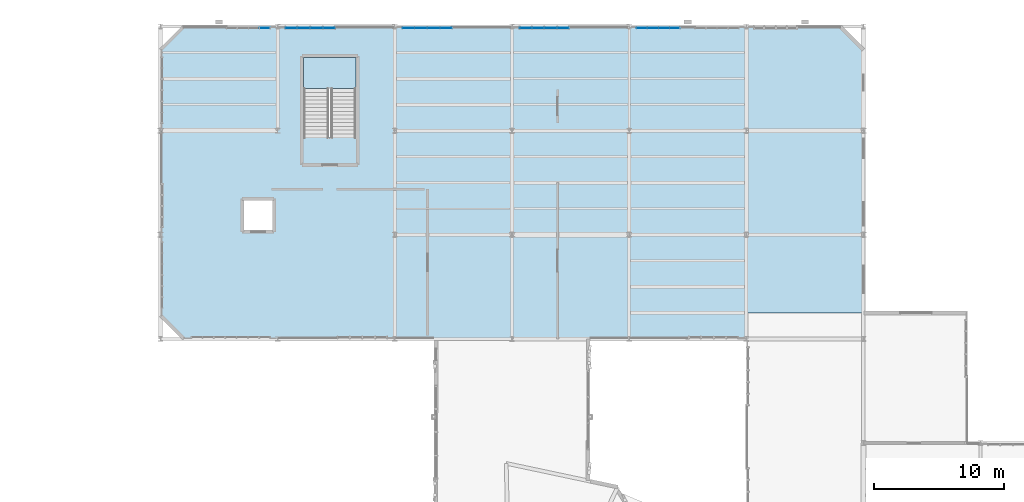
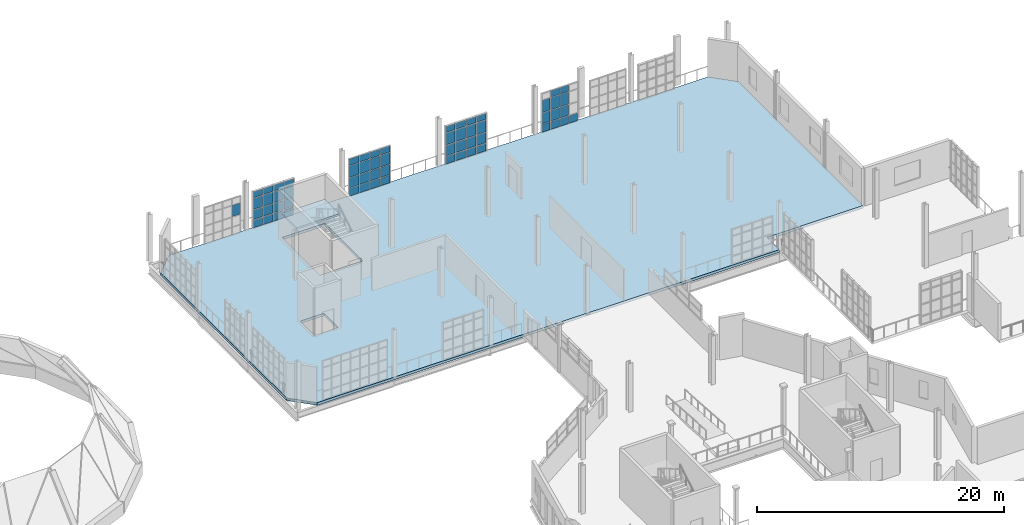
# One storey, part 97 of 118: 61 plates, 2 slabs, 6 elements without a shape of their own.
"""IFC4 building model written with IfcOpenShell, lengths in metres."""

from ifc_helpers import new_model, si_unit, direction, frame, origin, origin_2d, place, context, subcontext, project, spatial, polyline, rectangle, outline, extrude, material, layer, layer_set, type_object, element, aggregate, save


model = new_model("IFC4")

# Units and contexts
model_context = context("Model", 3, precision=1e-05, world=origin(), true_north=direction((0.0, 1.0)))
body_context = subcontext(model_context, "Body", "Model", "MODEL_VIEW")
ifc_project = project(units=[si_unit("LENGTHUNIT", "METRE"), si_unit("AREAUNIT", "SQUARE_METRE"), si_unit("VOLUMEUNIT", "CUBIC_METRE"), si_unit("PLANEANGLEUNIT", "RADIAN"), si_unit("MASSUNIT", "GRAM", prefix="KILO"), si_unit("THERMODYNAMICTEMPERATUREUNIT", "KELVIN"), si_unit("POWERUNIT", "WATT")], contexts=[model_context])

# Site, building, storey
site_placement = place(None, origin())
site = spatial("IfcSite", under=ifc_project, at=site_placement, CompositionType="ELEMENT")
building_placement = place(site_placement, origin())
building = spatial("IfcBuilding", under=site, at=building_placement, Name="Zelmaris Science Centre", CompositionType="ELEMENT")
storey_placement = place(building_placement, frame((0.0, 0.0, 15.60009765625)))
storey = spatial("IfcBuildingStorey", under=building, at=storey_placement, Name="L03", CompositionType="ELEMENT", Elevation=15.60009765625)

# Curtain wall, plates
ifc_material_1 = material(Name="Anodised architectural aluminium 6063-T6", Category="aluminium")
ifc_layer_1 = layer(ifc_material_1, 0.18994140625, Name="Anodised architectural aluminium 6063-T6")
ifc_layer_set_1 = layer_set([ifc_layer_1], Name="Anodised architectural aluminium 6063-T6")
curtain_wall_type_1 = type_object("IfcCurtainWallType", Name="Curtain Wall CW-01", PredefinedType="USERDEFINED", material=ifc_layer_set_1)
curtain_wall_1_placement = place(storey_placement, origin())
curtain_wall_1 = element("IfcCurtainWall", 1, at=curtain_wall_1_placement, inside=storey, type_object=curtain_wall_type_1, Name="L03 Unitised curtain wall 281", ObjectType="GLAZED CURTAIN WALL", PredefinedType="USERDEFINED")
ifc_material_2 = material(Name="Laminated hurricane-rated low-E insulated glazing", Category="glass")
ifc_layer_2 = layer(ifc_material_2, 0.031982421875, Name="Laminated hurricane-rated low-E insulated glazing")
ifc_layer_set_2 = layer_set([ifc_layer_2], Name="Laminated hurricane-rated low-E insulated glazing")
plate_type_1 = type_object("IfcPlateType", Name="Curtain Glazing Panel CWP-1 32mm", PredefinedType="CURTAIN_PANEL", material=ifc_layer_set_2)
plate_1_placement = place(storey_placement, frame((64.04541015625, 87.8798828125, 0.05712890625), z_axis=(0.0, 0.0, 1.0), x_axis=(1.0, 0.0, 0.0)))
plate_1 = element("IfcPlate", 2, at=plate_1_placement, type_object=plate_type_1, Name="CW-01 panel 1.1", PredefinedType="CURTAIN_PANEL", context=body_context, shape_type="SweptSolid", body=[
    extrude(rectangle(XDim=0.866943359375, YDim=0.031982421875, at=origin_2d()), origin(), (0.0, 0.0, 1.0), 0.741943359375),
])
plate_2_placement = place(storey_placement, frame((64.04541015625, 87.8798828125, 0.87109375), z_axis=(0.0, 0.0, 1.0), x_axis=(1.0, 0.0, 0.0)))
plate_2 = element("IfcPlate", 3, at=plate_2_placement, type_object=plate_type_1, Name="CW-01 panel 1.2", PredefinedType="CURTAIN_PANEL", context=body_context, shape_type="SweptSolid", body=[
    extrude(rectangle(XDim=0.866943359375, YDim=0.031982421875, at=origin_2d()), origin(), (0.0, 0.0, 1.0), 0.925048828125),
])
plate_3_placement = place(storey_placement, frame((64.04541015625, 87.8798828125, 1.8681640625), z_axis=(0.0, 0.0, 1.0), x_axis=(1.0, 0.0, 0.0)))
plate_3 = element("IfcPlate", 4, at=plate_3_placement, type_object=plate_type_1, Name="CW-01 panel 1.3", PredefinedType="CURTAIN_PANEL", context=body_context, shape_type="SweptSolid", body=[
    extrude(rectangle(XDim=0.866943359375, YDim=0.031982421875, at=origin_2d()), origin(), (0.0, 0.0, 1.0), 1.074951171875),
])
plate_4_placement = place(storey_placement, frame((64.04541015625, 87.8798828125, 3.0146484375), z_axis=(0.0, 0.0, 1.0), x_axis=(1.0, 0.0, 0.0)))
plate_4 = element("IfcPlate", 5, at=plate_4_placement, type_object=plate_type_1, Name="CW-01 panel 1.4", PredefinedType="CURTAIN_PANEL", context=body_context, shape_type="SweptSolid", body=[
    extrude(rectangle(XDim=0.866943359375, YDim=0.031982421875, at=origin_2d()), origin(), (0.0, 0.0, 1.0), 0.592041015625),
])
plate_5_placement = place(storey_placement, frame((65.00244140625, 87.8798828125, 0.05712890625), z_axis=(0.0, 0.0, 1.0), x_axis=(1.0, 0.0, 0.0)))
plate_5 = element("IfcPlate", 6, at=plate_5_placement, type_object=plate_type_1, Name="CW-01 panel 2.1", PredefinedType="CURTAIN_PANEL", context=body_context, shape_type="SweptSolid", body=[
    extrude(rectangle(XDim=0.903076171875, YDim=0.031982421875, at=origin_2d()), origin(), (0.0, 0.0, 1.0), 0.741943359375),
])
plate_6_placement = place(storey_placement, frame((65.00244140625, 87.8798828125, 0.87109375), z_axis=(0.0, 0.0, 1.0), x_axis=(1.0, 0.0, 0.0)))
plate_6 = element("IfcPlate", 7, at=plate_6_placement, type_object=plate_type_1, Name="CW-01 panel 2.2", PredefinedType="CURTAIN_PANEL", context=body_context, shape_type="SweptSolid", body=[
    extrude(rectangle(XDim=0.903076171875, YDim=0.031982421875, at=origin_2d()), origin(), (0.0, 0.0, 1.0), 0.925048828125),
])
plate_7_placement = place(storey_placement, frame((65.00244140625, 87.8798828125, 1.8681640625), z_axis=(0.0, 0.0, 1.0), x_axis=(1.0, 0.0, 0.0)))
plate_7 = element("IfcPlate", 8, at=plate_7_placement, type_object=plate_type_1, Name="CW-01 panel 2.3", PredefinedType="CURTAIN_PANEL", context=body_context, shape_type="SweptSolid", body=[
    extrude(rectangle(XDim=0.903076171875, YDim=0.031982421875, at=origin_2d()), origin(), (0.0, 0.0, 1.0), 1.074951171875),
])
plate_8_placement = place(storey_placement, frame((65.00244140625, 87.8798828125, 3.0146484375), z_axis=(0.0, 0.0, 1.0), x_axis=(1.0, 0.0, 0.0)))
plate_8 = element("IfcPlate", 9, at=plate_8_placement, type_object=plate_type_1, Name="CW-01 panel 2.4", PredefinedType="CURTAIN_PANEL", context=body_context, shape_type="SweptSolid", body=[
    extrude(rectangle(XDim=0.903076171875, YDim=0.031982421875, at=origin_2d()), origin(), (0.0, 0.0, 1.0), 0.592041015625),
])
plate_9_placement = place(storey_placement, frame((65.9775390625, 87.8798828125, 0.05712890625), z_axis=(0.0, 0.0, 1.0), x_axis=(1.0, 0.0, 0.0)))
plate_9 = element("IfcPlate", 10, at=plate_9_placement, type_object=plate_type_1, Name="CW-01 panel 3.1", PredefinedType="CURTAIN_PANEL", context=body_context, shape_type="SweptSolid", body=[
    extrude(rectangle(XDim=0.903076171875, YDim=0.031982421875, at=origin_2d()), origin(), (0.0, 0.0, 1.0), 0.741943359375),
])
plate_10_placement = place(storey_placement, frame((65.9775390625, 87.8798828125, 0.87109375), z_axis=(0.0, 0.0, 1.0), x_axis=(1.0, 0.0, 0.0)))
plate_10 = element("IfcPlate", 11, at=plate_10_placement, type_object=plate_type_1, Name="CW-01 panel 3.2", PredefinedType="CURTAIN_PANEL", context=body_context, shape_type="SweptSolid", body=[
    extrude(rectangle(XDim=0.903076171875, YDim=0.031982421875, at=origin_2d()), origin(), (0.0, 0.0, 1.0), 0.925048828125),
])
plate_11_placement = place(storey_placement, frame((65.9775390625, 87.8798828125, 1.8681640625), z_axis=(0.0, 0.0, 1.0), x_axis=(1.0, 0.0, 0.0)))
plate_11 = element("IfcPlate", 12, at=plate_11_placement, type_object=plate_type_1, Name="CW-01 panel 3.3", PredefinedType="CURTAIN_PANEL", context=body_context, shape_type="SweptSolid", body=[
    extrude(rectangle(XDim=0.903076171875, YDim=0.031982421875, at=origin_2d()), origin(), (0.0, 0.0, 1.0), 1.074951171875),
])
plate_12_placement = place(storey_placement, frame((65.9775390625, 87.8798828125, 3.0146484375), z_axis=(0.0, 0.0, 1.0), x_axis=(1.0, 0.0, 0.0)))
plate_12 = element("IfcPlate", 13, at=plate_12_placement, type_object=plate_type_1, Name="CW-01 panel 3.4", PredefinedType="CURTAIN_PANEL", context=body_context, shape_type="SweptSolid", body=[
    extrude(rectangle(XDim=0.903076171875, YDim=0.031982421875, at=origin_2d()), origin(), (0.0, 0.0, 1.0), 0.592041015625),
])
plate_13_placement = place(storey_placement, frame((66.9345703125, 87.8798828125, 0.05712890625), z_axis=(0.0, 0.0, 1.0), x_axis=(1.0, 0.0, 0.0)))
plate_13 = element("IfcPlate", 14, at=plate_13_placement, type_object=plate_type_1, Name="CW-01 panel 4.1", PredefinedType="CURTAIN_PANEL", context=body_context, shape_type="SweptSolid", body=[
    extrude(rectangle(XDim=0.866943359375, YDim=0.031982421875, at=origin_2d()), origin(), (0.0, 0.0, 1.0), 0.741943359375),
])
plate_14_placement = place(storey_placement, frame((66.9345703125, 87.8798828125, 0.87109375), z_axis=(0.0, 0.0, 1.0), x_axis=(1.0, 0.0, 0.0)))
plate_14 = element("IfcPlate", 15, at=plate_14_placement, type_object=plate_type_1, Name="CW-01 panel 4.2", PredefinedType="CURTAIN_PANEL", context=body_context, shape_type="SweptSolid", body=[
    extrude(rectangle(XDim=0.866943359375, YDim=0.031982421875, at=origin_2d()), origin(), (0.0, 0.0, 1.0), 0.925048828125),
])
plate_15_placement = place(storey_placement, frame((66.9345703125, 87.8798828125, 1.8681640625), z_axis=(0.0, 0.0, 1.0), x_axis=(1.0, 0.0, 0.0)))
plate_15 = element("IfcPlate", 16, at=plate_15_placement, type_object=plate_type_1, Name="CW-01 panel 4.3", PredefinedType="CURTAIN_PANEL", context=body_context, shape_type="SweptSolid", body=[
    extrude(rectangle(XDim=0.866943359375, YDim=0.031982421875, at=origin_2d()), origin(), (0.0, 0.0, 1.0), 1.074951171875),
])
plate_16_placement = place(storey_placement, frame((66.9345703125, 87.8798828125, 3.0146484375), z_axis=(0.0, 0.0, 1.0), x_axis=(1.0, 0.0, 0.0)))
plate_16 = element("IfcPlate", 17, at=plate_16_placement, type_object=plate_type_1, Name="CW-01 panel 4.4", PredefinedType="CURTAIN_PANEL", context=body_context, shape_type="SweptSolid", body=[
    extrude(rectangle(XDim=0.866943359375, YDim=0.031982421875, at=origin_2d()), origin(), (0.0, 0.0, 1.0), 0.592041015625),
])
aggregate(curtain_wall_1, [plate_1, plate_2, plate_3, plate_4, plate_5, plate_6, plate_7, plate_8, plate_9, plate_10, plate_11, plate_12, plate_13, plate_14, plate_15, plate_16])

curtain_wall_2_placement = place(storey_placement, origin())
curtain_wall_2 = element("IfcCurtainWall", 18, at=curtain_wall_2_placement, inside=storey, type_object=curtain_wall_type_1, Name="L03 Unitised curtain wall 285", ObjectType="GLAZED CURTAIN WALL", PredefinedType="USERDEFINED")
plate_17_placement = place(storey_placement, frame((82.04541015625, 87.8798828125, 0.05712890625), z_axis=(0.0, 0.0, 1.0), x_axis=(1.0, 0.0, 0.0)))
plate_17 = element("IfcPlate", 19, at=plate_17_placement, type_object=plate_type_1, Name="CW-01 panel 1.1", PredefinedType="CURTAIN_PANEL", context=body_context, shape_type="SweptSolid", body=[
    extrude(rectangle(XDim=0.866943359375, YDim=0.031982421875, at=origin_2d()), origin(), (0.0, 0.0, 1.0), 0.741943359375),
])
plate_18_placement = place(storey_placement, frame((82.04541015625, 87.8798828125, 0.870849609375), z_axis=(0.0, 0.0, 1.0), x_axis=(1.0, 0.0, 0.0)))
plate_18 = element("IfcPlate", 20, at=plate_18_placement, type_object=plate_type_1, Name="CW-01 panel 1.2", PredefinedType="CURTAIN_PANEL", context=body_context, shape_type="SweptSolid", body=[
    extrude(rectangle(XDim=0.866943359375, YDim=0.031982421875, at=origin_2d()), origin(), (0.0, 0.0, 1.0), 1.00390625),
])
plate_19_placement = place(storey_placement, frame((82.04541015625, 87.8798828125, 1.94677734375), z_axis=(0.0, 0.0, 1.0), x_axis=(1.0, 0.0, 0.0)))
plate_19 = element("IfcPlate", 21, at=plate_19_placement, type_object=plate_type_1, Name="CW-01 panel 1.3", PredefinedType="CURTAIN_PANEL", context=body_context, shape_type="SweptSolid", body=[
    extrude(rectangle(XDim=0.866943359375, YDim=0.031982421875, at=origin_2d()), origin(), (0.0, 0.0, 1.0), 1.154052734375),
])
plate_20_placement = place(storey_placement, frame((82.04541015625, 87.8798828125, 3.1728515625), z_axis=(0.0, 0.0, 1.0), x_axis=(1.0, 0.0, 0.0)))
plate_20 = element("IfcPlate", 22, at=plate_20_placement, type_object=plate_type_1, Name="CW-01 panel 1.4", PredefinedType="CURTAIN_PANEL", context=body_context, shape_type="SweptSolid", body=[
    extrude(rectangle(XDim=0.866943359375, YDim=0.031982421875, at=origin_2d()), origin(), (0.0, 0.0, 1.0), 0.592041015625),
])
plate_21_placement = place(storey_placement, frame((83.00244140625, 87.8798828125, 0.05712890625), z_axis=(0.0, 0.0, 1.0), x_axis=(1.0, 0.0, 0.0)))
plate_21 = element("IfcPlate", 23, at=plate_21_placement, type_object=plate_type_1, Name="CW-01 panel 2.1", PredefinedType="CURTAIN_PANEL", context=body_context, shape_type="SweptSolid", body=[
    extrude(rectangle(XDim=0.903076171875, YDim=0.031982421875, at=origin_2d()), origin(), (0.0, 0.0, 1.0), 0.741943359375),
])
plate_22_placement = place(storey_placement, frame((83.00244140625, 87.8798828125, 0.870849609375), z_axis=(0.0, 0.0, 1.0), x_axis=(1.0, 0.0, 0.0)))
plate_22 = element("IfcPlate", 24, at=plate_22_placement, type_object=plate_type_1, Name="CW-01 panel 2.2", PredefinedType="CURTAIN_PANEL", context=body_context, shape_type="SweptSolid", body=[
    extrude(rectangle(XDim=0.903076171875, YDim=0.031982421875, at=origin_2d()), origin(), (0.0, 0.0, 1.0), 1.00390625),
])
plate_23_placement = place(storey_placement, frame((83.00244140625, 87.8798828125, 1.94677734375), z_axis=(0.0, 0.0, 1.0), x_axis=(1.0, 0.0, 0.0)))
plate_23 = element("IfcPlate", 25, at=plate_23_placement, type_object=plate_type_1, Name="CW-01 panel 2.3", PredefinedType="CURTAIN_PANEL", context=body_context, shape_type="SweptSolid", body=[
    extrude(rectangle(XDim=0.903076171875, YDim=0.031982421875, at=origin_2d()), origin(), (0.0, 0.0, 1.0), 1.154052734375),
])
plate_24_placement = place(storey_placement, frame((83.00244140625, 87.8798828125, 3.1728515625), z_axis=(0.0, 0.0, 1.0), x_axis=(1.0, 0.0, 0.0)))
plate_24 = element("IfcPlate", 26, at=plate_24_placement, type_object=plate_type_1, Name="CW-01 panel 2.4", PredefinedType="CURTAIN_PANEL", context=body_context, shape_type="SweptSolid", body=[
    extrude(rectangle(XDim=0.903076171875, YDim=0.031982421875, at=origin_2d()), origin(), (0.0, 0.0, 1.0), 0.592041015625),
])
plate_25_placement = place(storey_placement, frame((83.9775390625, 87.8798828125, 0.05712890625), z_axis=(0.0, 0.0, 1.0), x_axis=(1.0, 0.0, 0.0)))
plate_25 = element("IfcPlate", 27, at=plate_25_placement, type_object=plate_type_1, Name="CW-01 panel 3.1", PredefinedType="CURTAIN_PANEL", context=body_context, shape_type="SweptSolid", body=[
    extrude(rectangle(XDim=0.903076171875, YDim=0.031982421875, at=origin_2d()), origin(), (0.0, 0.0, 1.0), 0.741943359375),
])
plate_26_placement = place(storey_placement, frame((83.9775390625, 87.8798828125, 0.870849609375), z_axis=(0.0, 0.0, 1.0), x_axis=(1.0, 0.0, 0.0)))
plate_26 = element("IfcPlate", 28, at=plate_26_placement, type_object=plate_type_1, Name="CW-01 panel 3.2", PredefinedType="CURTAIN_PANEL", context=body_context, shape_type="SweptSolid", body=[
    extrude(rectangle(XDim=0.903076171875, YDim=0.031982421875, at=origin_2d()), origin(), (0.0, 0.0, 1.0), 1.00390625),
])
plate_27_placement = place(storey_placement, frame((83.9775390625, 87.8798828125, 1.94677734375), z_axis=(0.0, 0.0, 1.0), x_axis=(1.0, 0.0, 0.0)))
plate_27 = element("IfcPlate", 29, at=plate_27_placement, type_object=plate_type_1, Name="CW-01 panel 3.3", PredefinedType="CURTAIN_PANEL", context=body_context, shape_type="SweptSolid", body=[
    extrude(rectangle(XDim=0.903076171875, YDim=0.031982421875, at=origin_2d()), origin(), (0.0, 0.0, 1.0), 1.154052734375),
])
plate_28_placement = place(storey_placement, frame((83.9775390625, 87.8798828125, 3.1728515625), z_axis=(0.0, 0.0, 1.0), x_axis=(1.0, 0.0, 0.0)))
plate_28 = element("IfcPlate", 30, at=plate_28_placement, type_object=plate_type_1, Name="CW-01 panel 3.4", PredefinedType="CURTAIN_PANEL", context=body_context, shape_type="SweptSolid", body=[
    extrude(rectangle(XDim=0.903076171875, YDim=0.031982421875, at=origin_2d()), origin(), (0.0, 0.0, 1.0), 0.592041015625),
])
plate_29_placement = place(storey_placement, frame((84.9345703125, 87.8798828125, 0.05712890625), z_axis=(0.0, 0.0, 1.0), x_axis=(1.0, 0.0, 0.0)))
plate_29 = element("IfcPlate", 31, at=plate_29_placement, type_object=plate_type_1, Name="CW-01 panel 4.1", PredefinedType="CURTAIN_PANEL", context=body_context, shape_type="SweptSolid", body=[
    extrude(rectangle(XDim=0.866943359375, YDim=0.031982421875, at=origin_2d()), origin(), (0.0, 0.0, 1.0), 0.741943359375),
])
plate_30_placement = place(storey_placement, frame((84.9345703125, 87.8798828125, 0.870849609375), z_axis=(0.0, 0.0, 1.0), x_axis=(1.0, 0.0, 0.0)))
plate_30 = element("IfcPlate", 32, at=plate_30_placement, type_object=plate_type_1, Name="CW-01 panel 4.2", PredefinedType="CURTAIN_PANEL", context=body_context, shape_type="SweptSolid", body=[
    extrude(rectangle(XDim=0.866943359375, YDim=0.031982421875, at=origin_2d()), origin(), (0.0, 0.0, 1.0), 1.00390625),
])
plate_31_placement = place(storey_placement, frame((84.9345703125, 87.8798828125, 1.94677734375), z_axis=(0.0, 0.0, 1.0), x_axis=(1.0, 0.0, 0.0)))
plate_31 = element("IfcPlate", 33, at=plate_31_placement, type_object=plate_type_1, Name="CW-01 panel 4.3", PredefinedType="CURTAIN_PANEL", context=body_context, shape_type="SweptSolid", body=[
    extrude(rectangle(XDim=0.866943359375, YDim=0.031982421875, at=origin_2d()), origin(), (0.0, 0.0, 1.0), 1.154052734375),
])
plate_32_placement = place(storey_placement, frame((84.9345703125, 87.8798828125, 3.1728515625), z_axis=(0.0, 0.0, 1.0), x_axis=(1.0, 0.0, 0.0)))
plate_32 = element("IfcPlate", 34, at=plate_32_placement, type_object=plate_type_1, Name="CW-01 panel 4.4", PredefinedType="CURTAIN_PANEL", context=body_context, shape_type="SweptSolid", body=[
    extrude(rectangle(XDim=0.866943359375, YDim=0.031982421875, at=origin_2d()), origin(), (0.0, 0.0, 1.0), 0.592041015625),
])
aggregate(curtain_wall_2, [plate_17, plate_18, plate_19, plate_20, plate_21, plate_22, plate_23, plate_24, plate_25, plate_26, plate_27, plate_28, plate_29, plate_30, plate_31, plate_32])

ifc_layer_3 = layer(ifc_material_1, 0.2099609375, Name="Anodised architectural aluminium 6063-T6")
ifc_layer_set_3 = layer_set([ifc_layer_3], Name="Anodised architectural aluminium 6063-T6")
curtain_wall_type_2 = type_object("IfcCurtainWallType", Name="Curtain Wall CW-03", PredefinedType="USERDEFINED", material=ifc_layer_set_3)
curtain_wall_3_placement = place(storey_placement, origin())
curtain_wall_3 = element("IfcCurtainWall", 35, at=curtain_wall_3_placement, inside=storey, type_object=curtain_wall_type_2, Name="L03 Unitised curtain wall 283", ObjectType="GLAZED CURTAIN WALL", PredefinedType="USERDEFINED")
ifc_layer_4 = layer(ifc_material_2, 0.02587890625, Name="Laminated hurricane-rated low-E insulated glazing")
ifc_layer_set_4 = layer_set([ifc_layer_4], Name="Laminated hurricane-rated low-E insulated glazing")
plate_type_2 = type_object("IfcPlateType", Name="Curtain Glazing Panel CWP-3 26mm", PredefinedType="CURTAIN_PANEL", material=ifc_layer_set_4)
plate_33_placement = place(storey_placement, frame((73.041748046875, 87.8798828125, 0.0419921875), z_axis=(0.0, 0.0, 1.0), x_axis=(1.0, 0.0, 0.0)))
plate_33 = element("IfcPlate", 36, at=plate_33_placement, type_object=plate_type_2, Name="CW-03 panel 1.1", PredefinedType="CURTAIN_PANEL", context=body_context, shape_type="SweptSolid", body=[
    extrude(rectangle(XDim=0.889404296875, YDim=0.02587890625, at=origin_2d()), origin(), (0.0, 0.0, 1.0), 0.764404296875),
])
plate_34_placement = place(storey_placement, frame((73.041748046875, 87.8798828125, 0.86328125), z_axis=(0.0, 0.0, 1.0), x_axis=(1.0, 0.0, 0.0)))
plate_34 = element("IfcPlate", 37, at=plate_34_placement, type_object=plate_type_2, Name="CW-03 panel 1.2", PredefinedType="CURTAIN_PANEL", context=body_context, shape_type="SweptSolid", body=[
    extrude(rectangle(XDim=0.889404296875, YDim=0.02587890625, at=origin_2d()), origin(), (0.0, 0.0, 1.0), 0.97705078125),
])
plate_35_placement = place(storey_placement, frame((73.041748046875, 87.8798828125, 1.8974609375), z_axis=(0.0, 0.0, 1.0), x_axis=(1.0, 0.0, 0.0)))
plate_35 = element("IfcPlate", 38, at=plate_35_placement, type_object=plate_type_2, Name="CW-03 panel 1.3", PredefinedType="CURTAIN_PANEL", context=body_context, shape_type="SweptSolid", body=[
    extrude(rectangle(XDim=0.889404296875, YDim=0.02587890625, at=origin_2d()), origin(), (0.0, 0.0, 1.0), 1.126953125),
])
plate_36_placement = place(storey_placement, frame((73.041748046875, 87.8798828125, 3.08154296875), z_axis=(0.0, 0.0, 1.0), x_axis=(1.0, 0.0, 0.0)))
plate_36 = element("IfcPlate", 39, at=plate_36_placement, type_object=plate_type_2, Name="CW-03 panel 1.4", PredefinedType="CURTAIN_PANEL", context=body_context, shape_type="SweptSolid", body=[
    extrude(rectangle(XDim=0.889404296875, YDim=0.02587890625, at=origin_2d()), origin(), (0.0, 0.0, 1.0), 0.614501953125),
])
plate_37_placement = place(storey_placement, frame((74.00244140625, 87.8798828125, 0.0419921875), z_axis=(0.0, 0.0, 1.0), x_axis=(1.0, 0.0, 0.0)))
plate_37 = element("IfcPlate", 40, at=plate_37_placement, type_object=plate_type_2, Name="CW-03 panel 2.1", PredefinedType="CURTAIN_PANEL", context=body_context, shape_type="SweptSolid", body=[
    extrude(rectangle(XDim=0.91796875, YDim=0.02587890625, at=origin_2d()), origin(), (0.0, 0.0, 1.0), 0.764404296875),
])
plate_38_placement = place(storey_placement, frame((74.00244140625, 87.8798828125, 0.86328125), z_axis=(0.0, 0.0, 1.0), x_axis=(1.0, 0.0, 0.0)))
plate_38 = element("IfcPlate", 41, at=plate_38_placement, type_object=plate_type_2, Name="CW-03 panel 2.2", PredefinedType="CURTAIN_PANEL", context=body_context, shape_type="SweptSolid", body=[
    extrude(rectangle(XDim=0.91796875, YDim=0.02587890625, at=origin_2d()), origin(), (0.0, 0.0, 1.0), 0.97705078125),
])
plate_39_placement = place(storey_placement, frame((74.00244140625, 87.8798828125, 1.8974609375), z_axis=(0.0, 0.0, 1.0), x_axis=(1.0, 0.0, 0.0)))
plate_39 = element("IfcPlate", 42, at=plate_39_placement, type_object=plate_type_2, Name="CW-03 panel 2.3", PredefinedType="CURTAIN_PANEL", context=body_context, shape_type="SweptSolid", body=[
    extrude(rectangle(XDim=0.91796875, YDim=0.02587890625, at=origin_2d()), origin(), (0.0, 0.0, 1.0), 1.126953125),
])
plate_40_placement = place(storey_placement, frame((74.00244140625, 87.8798828125, 3.08154296875), z_axis=(0.0, 0.0, 1.0), x_axis=(1.0, 0.0, 0.0)))
plate_40 = element("IfcPlate", 43, at=plate_40_placement, type_object=plate_type_2, Name="CW-03 panel 2.4", PredefinedType="CURTAIN_PANEL", context=body_context, shape_type="SweptSolid", body=[
    extrude(rectangle(XDim=0.91796875, YDim=0.02587890625, at=origin_2d()), origin(), (0.0, 0.0, 1.0), 0.614501953125),
])
plate_41_placement = place(storey_placement, frame((74.9775390625, 87.8798828125, 0.0419921875), z_axis=(0.0, 0.0, 1.0), x_axis=(1.0, 0.0, 0.0)))
plate_41 = element("IfcPlate", 44, at=plate_41_placement, type_object=plate_type_2, Name="CW-03 panel 3.1", PredefinedType="CURTAIN_PANEL", context=body_context, shape_type="SweptSolid", body=[
    extrude(rectangle(XDim=0.91796875, YDim=0.02587890625, at=origin_2d()), origin(), (0.0, 0.0, 1.0), 0.764404296875),
])
plate_42_placement = place(storey_placement, frame((74.9775390625, 87.8798828125, 0.86328125), z_axis=(0.0, 0.0, 1.0), x_axis=(1.0, 0.0, 0.0)))
plate_42 = element("IfcPlate", 45, at=plate_42_placement, type_object=plate_type_2, Name="CW-03 panel 3.2", PredefinedType="CURTAIN_PANEL", context=body_context, shape_type="SweptSolid", body=[
    extrude(rectangle(XDim=0.91796875, YDim=0.02587890625, at=origin_2d()), origin(), (0.0, 0.0, 1.0), 0.97705078125),
])
plate_43_placement = place(storey_placement, frame((74.9775390625, 87.8798828125, 1.8974609375), z_axis=(0.0, 0.0, 1.0), x_axis=(1.0, 0.0, 0.0)))
plate_43 = element("IfcPlate", 46, at=plate_43_placement, type_object=plate_type_2, Name="CW-03 panel 3.3", PredefinedType="CURTAIN_PANEL", context=body_context, shape_type="SweptSolid", body=[
    extrude(rectangle(XDim=0.91796875, YDim=0.02587890625, at=origin_2d()), origin(), (0.0, 0.0, 1.0), 1.126953125),
])
plate_44_placement = place(storey_placement, frame((74.9775390625, 87.8798828125, 3.08154296875), z_axis=(0.0, 0.0, 1.0), x_axis=(1.0, 0.0, 0.0)))
plate_44 = element("IfcPlate", 47, at=plate_44_placement, type_object=plate_type_2, Name="CW-03 panel 3.4", PredefinedType="CURTAIN_PANEL", context=body_context, shape_type="SweptSolid", body=[
    extrude(rectangle(XDim=0.91796875, YDim=0.02587890625, at=origin_2d()), origin(), (0.0, 0.0, 1.0), 0.614501953125),
])
plate_45_placement = place(storey_placement, frame((75.938232421875, 87.8798828125, 0.0419921875), z_axis=(0.0, 0.0, 1.0), x_axis=(1.0, 0.0, 0.0)))
plate_45 = element("IfcPlate", 48, at=plate_45_placement, type_object=plate_type_2, Name="CW-03 panel 4.1", PredefinedType="CURTAIN_PANEL", context=body_context, shape_type="SweptSolid", body=[
    extrude(rectangle(XDim=0.889404296875, YDim=0.02587890625, at=origin_2d()), origin(), (0.0, 0.0, 1.0), 0.764404296875),
])
plate_46_placement = place(storey_placement, frame((75.938232421875, 87.8798828125, 0.86328125), z_axis=(0.0, 0.0, 1.0), x_axis=(1.0, 0.0, 0.0)))
plate_46 = element("IfcPlate", 49, at=plate_46_placement, type_object=plate_type_2, Name="CW-03 panel 4.2", PredefinedType="CURTAIN_PANEL", context=body_context, shape_type="SweptSolid", body=[
    extrude(rectangle(XDim=0.889404296875, YDim=0.02587890625, at=origin_2d()), origin(), (0.0, 0.0, 1.0), 0.97705078125),
])
plate_47_placement = place(storey_placement, frame((75.938232421875, 87.8798828125, 1.8974609375), z_axis=(0.0, 0.0, 1.0), x_axis=(1.0, 0.0, 0.0)))
plate_47 = element("IfcPlate", 50, at=plate_47_placement, type_object=plate_type_2, Name="CW-03 panel 4.3", PredefinedType="CURTAIN_PANEL", context=body_context, shape_type="SweptSolid", body=[
    extrude(rectangle(XDim=0.889404296875, YDim=0.02587890625, at=origin_2d()), origin(), (0.0, 0.0, 1.0), 1.126953125),
])
plate_48_placement = place(storey_placement, frame((75.938232421875, 87.8798828125, 3.08154296875), z_axis=(0.0, 0.0, 1.0), x_axis=(1.0, 0.0, 0.0)))
plate_48 = element("IfcPlate", 51, at=plate_48_placement, type_object=plate_type_2, Name="CW-03 panel 4.4", PredefinedType="CURTAIN_PANEL", context=body_context, shape_type="SweptSolid", body=[
    extrude(rectangle(XDim=0.889404296875, YDim=0.02587890625, at=origin_2d()), origin(), (0.0, 0.0, 1.0), 0.614501953125),
])
aggregate(curtain_wall_3, [plate_33, plate_34, plate_35, plate_36, plate_37, plate_38, plate_39, plate_40, plate_41, plate_42, plate_43, plate_44, plate_45, plate_46, plate_47, plate_48])

curtain_wall_4_placement = place(storey_placement, origin())
curtain_wall_4 = element("IfcCurtainWall", 52, at=curtain_wall_4_placement, inside=storey, type_object=curtain_wall_type_2, Name="L03 Unitised curtain wall 287", ObjectType="GLAZED CURTAIN WALL", PredefinedType="USERDEFINED")
plate_49_placement = place(storey_placement, frame((90.981689453125, 87.8798828125, 0.0419921875), z_axis=(0.0, 0.0, 1.0), x_axis=(1.0, 0.0, 0.0)))
plate_49 = element("IfcPlate", 53, at=plate_49_placement, type_object=plate_type_2, Name="CW-03 panel 1.1", PredefinedType="CURTAIN_PANEL", context=body_context, shape_type="SweptSolid", body=[
    extrude(rectangle(XDim=0.76953125, YDim=0.02587890625, at=origin_2d()), origin(), (0.0, 0.0, 1.0), 0.764404296875),
])
plate_50_placement = place(storey_placement, frame((90.981689453125, 87.8798828125, 0.86328125), z_axis=(0.0, 0.0, 1.0), x_axis=(1.0, 0.0, 0.0)))
plate_50 = element("IfcPlate", 54, at=plate_50_placement, type_object=plate_type_2, Name="CW-03 panel 1.2", PredefinedType="CURTAIN_PANEL", context=body_context, shape_type="SweptSolid", body=[
    extrude(rectangle(XDim=0.76953125, YDim=0.02587890625, at=origin_2d()), origin(), (0.0, 0.0, 1.0), 1.05859375),
])
plate_51_placement = place(storey_placement, frame((90.981689453125, 87.8798828125, 1.97900390625), z_axis=(0.0, 0.0, 1.0), x_axis=(1.0, 0.0, 0.0)))
plate_51 = element("IfcPlate", 55, at=plate_51_placement, type_object=plate_type_2, Name="CW-03 panel 1.3", PredefinedType="CURTAIN_PANEL", context=body_context, shape_type="SweptSolid", body=[
    extrude(rectangle(XDim=0.76953125, YDim=0.02587890625, at=origin_2d()), origin(), (0.0, 0.0, 1.0), 1.20849609375),
])
plate_52_placement = place(storey_placement, frame((91.822509765625, 87.8798828125, 0.0419921875), z_axis=(0.0, 0.0, 1.0), x_axis=(1.0, 0.0, 0.0)))
plate_52 = element("IfcPlate", 56, at=plate_52_placement, type_object=plate_type_2, Name="CW-03 panel 2.1", PredefinedType="CURTAIN_PANEL", context=body_context, shape_type="SweptSolid", body=[
    extrude(rectangle(XDim=0.798095703125, YDim=0.02587890625, at=origin_2d()), origin(), (0.0, 0.0, 1.0), 0.764404296875),
])
plate_53_placement = place(storey_placement, frame((91.822509765625, 87.8798828125, 0.86328125), z_axis=(0.0, 0.0, 1.0), x_axis=(1.0, 0.0, 0.0)))
plate_53 = element("IfcPlate", 57, at=plate_53_placement, type_object=plate_type_2, Name="CW-03 panel 2.2", PredefinedType="CURTAIN_PANEL", context=body_context, shape_type="SweptSolid", body=[
    extrude(rectangle(XDim=0.798095703125, YDim=0.02587890625, at=origin_2d()), origin(), (0.0, 0.0, 1.0), 1.05859375),
])
plate_54_placement = place(storey_placement, frame((91.822509765625, 87.8798828125, 1.97900390625), z_axis=(0.0, 0.0, 1.0), x_axis=(1.0, 0.0, 0.0)))
plate_54 = element("IfcPlate", 58, at=plate_54_placement, type_object=plate_type_2, Name="CW-03 panel 2.3", PredefinedType="CURTAIN_PANEL", context=body_context, shape_type="SweptSolid", body=[
    extrude(rectangle(XDim=0.798095703125, YDim=0.02587890625, at=origin_2d()), origin(), (0.0, 0.0, 1.0), 1.20849609375),
])
plate_55_placement = place(storey_placement, frame((91.822509765625, 87.8798828125, 3.24462890625), z_axis=(0.0, 0.0, 1.0), x_axis=(1.0, 0.0, 0.0)))
plate_55 = element("IfcPlate", 59, at=plate_55_placement, type_object=plate_type_2, Name="CW-03 panel 2.4", PredefinedType="CURTAIN_PANEL", context=body_context, shape_type="SweptSolid", body=[
    extrude(rectangle(XDim=0.798095703125, YDim=0.02587890625, at=origin_2d()), origin(), (0.0, 0.0, 1.0), 0.614501953125),
])
plate_56_placement = place(storey_placement, frame((92.677490234375, 87.8798828125, 0.0419921875), z_axis=(0.0, 0.0, 1.0), x_axis=(1.0, 0.0, 0.0)))
plate_56 = element("IfcPlate", 60, at=plate_56_placement, type_object=plate_type_2, Name="CW-03 panel 3.1", PredefinedType="CURTAIN_PANEL", context=body_context, shape_type="SweptSolid", body=[
    extrude(rectangle(XDim=0.798095703125, YDim=0.02587890625, at=origin_2d()), origin(), (0.0, 0.0, 1.0), 0.764404296875),
])
plate_57_placement = place(storey_placement, frame((92.677490234375, 87.8798828125, 0.86328125), z_axis=(0.0, 0.0, 1.0), x_axis=(1.0, 0.0, 0.0)))
plate_57 = element("IfcPlate", 61, at=plate_57_placement, type_object=plate_type_2, Name="CW-03 panel 3.2", PredefinedType="CURTAIN_PANEL", context=body_context, shape_type="SweptSolid", body=[
    extrude(rectangle(XDim=0.798095703125, YDim=0.02587890625, at=origin_2d()), origin(), (0.0, 0.0, 1.0), 1.05859375),
])
plate_58_placement = place(storey_placement, frame((92.677490234375, 87.8798828125, 1.97900390625), z_axis=(0.0, 0.0, 1.0), x_axis=(1.0, 0.0, 0.0)))
plate_58 = element("IfcPlate", 62, at=plate_58_placement, type_object=plate_type_2, Name="CW-03 panel 3.3", PredefinedType="CURTAIN_PANEL", context=body_context, shape_type="SweptSolid", body=[
    extrude(rectangle(XDim=0.798095703125, YDim=0.02587890625, at=origin_2d()), origin(), (0.0, 0.0, 1.0), 1.20849609375),
])
plate_59_placement = place(storey_placement, frame((92.677490234375, 87.8798828125, 3.24462890625), z_axis=(0.0, 0.0, 1.0), x_axis=(1.0, 0.0, 0.0)))
plate_59 = element("IfcPlate", 63, at=plate_59_placement, type_object=plate_type_2, Name="CW-03 panel 3.4", PredefinedType="CURTAIN_PANEL", context=body_context, shape_type="SweptSolid", body=[
    extrude(rectangle(XDim=0.798095703125, YDim=0.02587890625, at=origin_2d()), origin(), (0.0, 0.0, 1.0), 0.614501953125),
])
plate_60_placement = place(storey_placement, frame((93.518310546875, 87.8798828125, 0.0419921875), z_axis=(0.0, 0.0, 1.0), x_axis=(1.0, 0.0, 0.0)))
plate_60 = element("IfcPlate", 64, at=plate_60_placement, type_object=plate_type_2, Name="CW-03 panel 4.1", PredefinedType="CURTAIN_PANEL", context=body_context, shape_type="SweptSolid", body=[
    extrude(rectangle(XDim=0.76953125, YDim=0.02587890625, at=origin_2d()), origin(), (0.0, 0.0, 1.0), 0.764404296875),
])
aggregate(curtain_wall_4, [plate_49, plate_50, plate_51, plate_52, plate_53, plate_54, plate_55, plate_56, plate_57, plate_58, plate_59, plate_60])

# Curtain wall, plate
ifc_layer_5 = layer(ifc_material_1, 0.219970703125, Name="Anodised architectural aluminium 6063-T6")
ifc_layer_set_5 = layer_set([ifc_layer_5], Name="Anodised architectural aluminium 6063-T6")
curtain_wall_type_3 = type_object("IfcCurtainWallType", Name="Curtain Wall CW-04", PredefinedType="USERDEFINED", material=ifc_layer_set_5)
curtain_wall_5_placement = place(storey_placement, origin())
curtain_wall_5 = element("IfcCurtainWall", 65, at=curtain_wall_5_placement, inside=storey, type_object=curtain_wall_type_3, Name="L03 Unitised curtain wall 280", ObjectType="GLAZED CURTAIN WALL", PredefinedType="USERDEFINED")
ifc_layer_6 = layer(ifc_material_2, 0.02392578125, Name="Laminated hurricane-rated low-E insulated glazing")
ifc_layer_set_6 = layer_set([ifc_layer_6], Name="Laminated hurricane-rated low-E insulated glazing")
plate_type_3 = type_object("IfcPlateType", Name="Curtain Glazing Panel CWP-4 24mm", PredefinedType="CURTAIN_PANEL", material=ifc_layer_set_6)
plate_61_placement = place(storey_placement, frame((62.01953125, 87.8798828125, 1.85791015625), z_axis=(0.0, 0.0, 1.0), x_axis=(1.0, 0.0, 0.0)))
plate_61 = element("IfcPlate", 66, at=plate_61_placement, type_object=plate_type_3, Name="CW-04 panel 4.3", PredefinedType="CURTAIN_PANEL", context=body_context, shape_type="SweptSolid", body=[
    extrude(rectangle(XDim=0.777099609375, YDim=0.02392578125, at=origin_2d()), origin(), (0.0, 0.0, 1.0), 1.094970703125),
])
aggregate(curtain_wall_5, [plate_61])

# Slab
ifc_material_3 = material(Name="Concrete C35/45", Category="concrete")
ifc_layer_7 = layer(ifc_material_3, 0.260009765625, Name="Concrete C35/45")
ifc_layer_set_7 = layer_set([ifc_layer_7], Name="Concrete C35/45")
slab_type_1 = type_object("IfcSlabType", Name="Slab SL-FL260 260mm", PredefinedType="FLOOR", material=ifc_layer_set_7)
slab_1_placement = place(storey_placement, frame((0.0, 0.0, -0.260009765625)))
element("IfcSlab", 67, at=slab_1_placement, inside=storey, type_object=slab_type_1, Name="L03 Observatory wing floor slab", PredefinedType="FLOOR", context=body_context, shape_type="SweptSolid", body=[
    extrude(outline(polyline([(55.800048828125, 64.0), (54.0, 65.800048828125), (54.0, 86.199951171875), (55.800048828125, 88.0), (106.199951171875, 88.0), (108.0, 86.199951171875), (108.0, 65.99609375), (99.00390625, 65.99609375), (99.00390625, 64.0), (55.800048828125, 64.0)]), holes=[polyline([(69.0, 79.469970703125), (69.0, 85.60009765625), (65.0, 85.60009765625), (65.0, 79.469970703125), (69.0, 79.469970703125)]), polyline([(60.39990234375, 72.35009765625), (62.60009765625, 72.35009765625), (62.60009765625, 74.64990234375), (60.39990234375, 74.64990234375), (60.39990234375, 72.35009765625)])]), origin(), (0.0, 0.0, 1.0), 0.260009765625),
])

# Stair, slab
ifc_material_4 = material(Name="Concrete C40/50", Category="concrete")
stair_type = type_object("IfcStairType", Name="Exit Stair ST-B W1900", PredefinedType="HALF_TURN_STAIR", material=ifc_material_4)
stair_placement = place(storey_placement, origin())
stair = element("IfcStair", 68, at=stair_placement, inside=storey, type_object=stair_type, Name="L03 Exit Stair Core ST-3", PredefinedType="HALF_TURN_STAIR")
ifc_layer_8 = layer(ifc_material_3, 0.18994140625, Name="Concrete C35/45")
ifc_layer_set_8 = layer_set([ifc_layer_8], Name="Concrete C35/45")
slab_type_2 = type_object("IfcSlabType", Name="Slab SL-LD190 190mm", PredefinedType="LANDING", material=ifc_layer_set_8)
slab_2_placement = place(storey_placement, frame((0.0, 0.0, 2.2099609375)))
slab_2 = element("IfcSlab", 69, at=slab_2_placement, type_object=slab_type_2, Name="ST-3 landing 1", PredefinedType="LANDING", context=body_context, shape_type="SweptSolid", body=[
    extrude(outline(polyline([(69.0, 83.219970703125), (69.0, 85.60009765625), (65.0, 85.60009765625), (65.0, 83.219970703125), (69.0, 83.219970703125)])), origin(), (0.0, 0.0, 1.0), 0.18994140625),
])
aggregate(stair, [slab_2])

save(model, "model.ifc")
